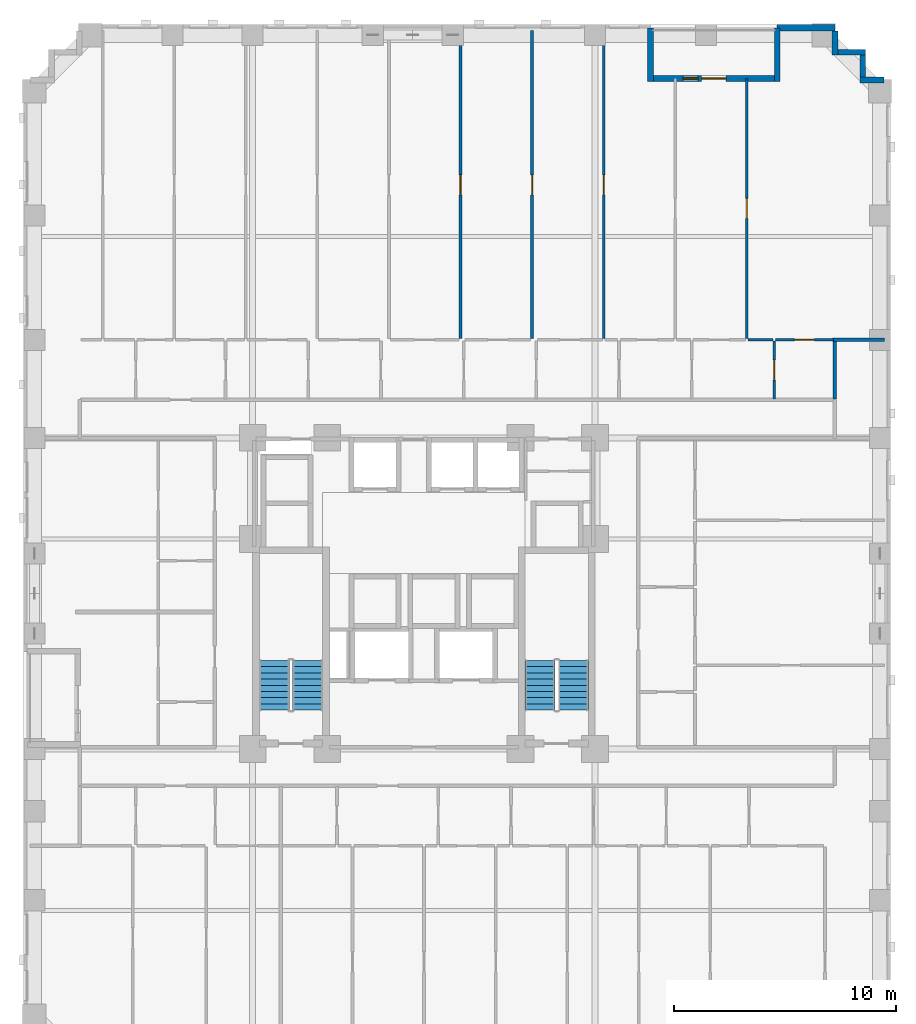
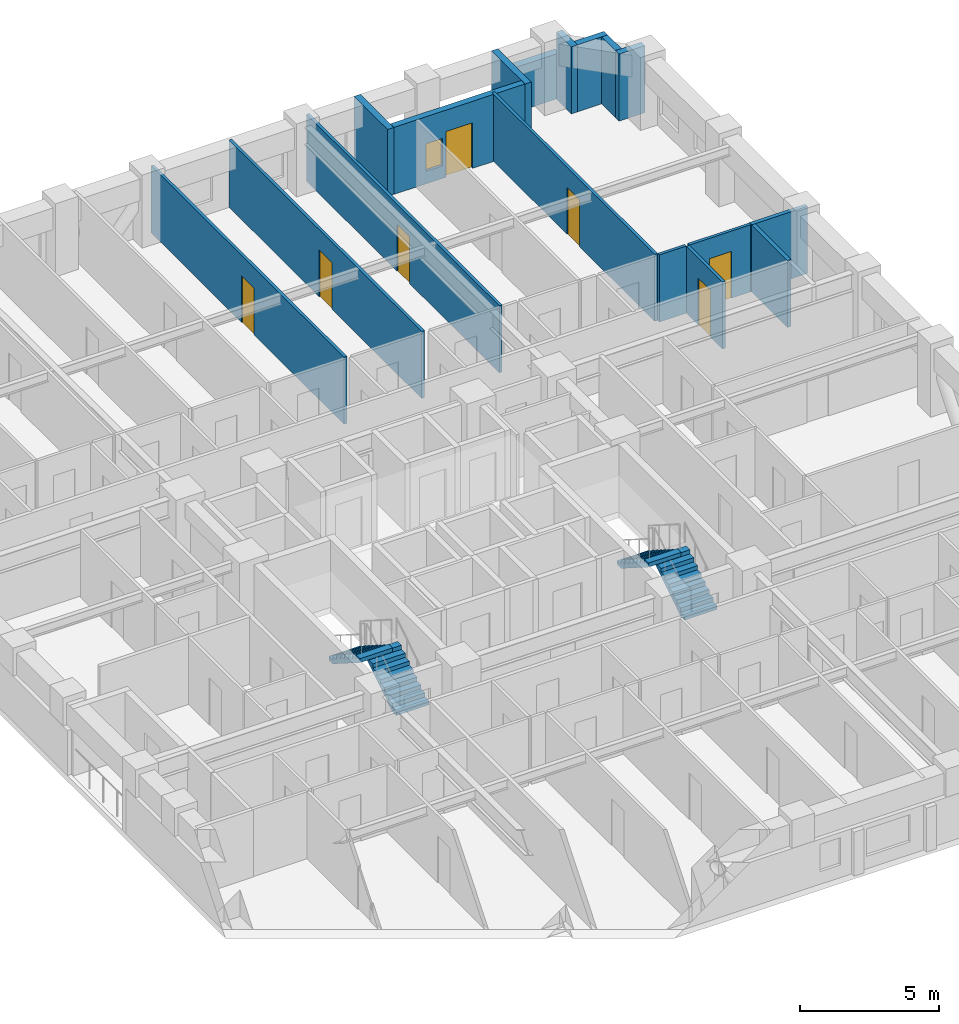
# One storey, part 9 of 14: 17 walls, 7 doors, 4 stair flights, 1 window, 8 openings, 2 elements without a shape of their own.
"""IFC4 building model written with IfcOpenShell, lengths in metres."""

from ifc_helpers import new_model, si_unit, derived_unit, direction, frame, frame_2d, origin, place, context, subcontext, project, spatial, polyline, rectangle, outline, extrude, material, layer, layer_set, type_object, element, fill, aggregate, save


model = new_model("IFC4")

# Units and contexts
model_context = context("Model", 3, precision=1e-05, world=origin(), true_north=direction((0.0, 1.0)))
body_context = subcontext(model_context, "Body", "Model", "MODEL_VIEW")
ifc_project = project(units=[si_unit("LENGTHUNIT", "METRE"), si_unit("AREAUNIT", "SQUARE_METRE"), si_unit("VOLUMEUNIT", "CUBIC_METRE"), si_unit("PLANEANGLEUNIT", "RADIAN"), si_unit("MASSUNIT", "GRAM", prefix="KILO"), derived_unit("THERMALTRANSMITTANCEUNIT", [(si_unit("MASSUNIT", "GRAM", prefix="KILO"), 1), (si_unit("TIMEUNIT", "SECOND"), -3), (si_unit("THERMODYNAMICTEMPERATUREUNIT", "KELVIN"), -1)])], contexts=[model_context])

# Site, building, storey
site_placement = place(None, origin())
site = spatial("IfcSite", under=ifc_project, at=site_placement, CompositionType="ELEMENT")
building_placement = place(site_placement, origin())
building = spatial("IfcBuilding", under=site, at=building_placement, Name="Korrvale Station Residences", CompositionType="ELEMENT")
storey_placement = place(building_placement, frame((0.0, 0.0, 38.60009765625)))
storey = spatial("IfcBuildingStorey", under=building, at=storey_placement, Name="L09", CompositionType="ELEMENT", Elevation=38.60009765625)

# Wall
ifc_material_1 = material(Name="Precast concrete C45/55", Category="concrete")
ifc_layer_1 = layer(ifc_material_1, 0.260009765625, Name="Precast concrete C45/55")
ifc_layer_set_1 = layer_set([ifc_layer_1], Name="Precast concrete C45/55")
wall_type_1 = type_object("IfcWallType", Name="WAL-EXT-LOG260", PredefinedType="SOLIDWALL", material=ifc_layer_set_1)
wall_1_placement = place(storey_placement, frame((35.699951171875, 47.43994140625, 0.0), z_axis=(0.0, 0.0, 1.0), x_axis=(0.0, -1.0, 0.0)))
element("IfcWall", 1, at=wall_1_placement, inside=storey, type_object=wall_type_1, Name="L09 Recessed Loggia Wall BAL-L09-N1-L", PredefinedType="SOLIDWALL", context=body_context, shape_type="SweptSolid", body=[
    extrude(rectangle(XDim=2.39990234375, YDim=0.260009765625, at=frame_2d((1.199951171875, 0.0))), origin(), (0.0, 0.0, 1.0), 2.93994140625),
])

# Wall, openings, door, window
wall_2_placement = place(storey_placement, frame((35.833984375, 45.169921875, 0.0), z_axis=(0.0, 0.0, 1.0), x_axis=(1.0, 0.0, 0.0)))
wall_2 = element("IfcWall", 2, at=wall_2_placement, inside=storey, type_object=wall_type_1, Name="L09 Recessed Loggia Wall BAL-L09-N1-B", PredefinedType="SOLIDWALL", context=body_context, shape_type="SweptSolid", body=[
    extrude(rectangle(XDim=5.43212890625, YDim=0.260009765625, at=frame_2d((2.716064453125, 0.0))), origin(), (0.0, 0.0, 1.0), 2.93994140625),
])
opening_1_placement = place(wall_2_placement, frame((2.166015625, 0.0, 0.0)))
opening_1 = element("IfcOpeningElement", 3, at=opening_1_placement, cuts=wall_2, Name="Opening BD-01", PredefinedType="OPENING", context=body_context, shape_type="SweptSolid", body=[
    extrude(rectangle(XDim=1.10009765625, YDim=2.0, at=frame_2d((0.550048828125, 1.0))), frame((0.0, 0.14013671875, 0.0), z_axis=(0.0, -1.0, 0.0), x_axis=(1.0, 0.0, 0.0)), (0.0, 0.0, 1.0), 0.280029296875),
])
opening_2_placement = place(wall_2_placement, frame((1.325927734375, 0.0, 0.550048828125)))
opening_2 = element("IfcOpeningElement", 4, at=opening_2_placement, cuts=wall_2, Name="Opening W-12", PredefinedType="OPENING", context=body_context, shape_type="SweptSolid", body=[
    extrude(rectangle(XDim=0.679931640625, YDim=1.199951171875, at=frame_2d((0.33984375, 0.60009765625))), frame((0.0, 0.14013671875, 0.0), z_axis=(0.0, -1.0, 0.0), x_axis=(1.0, 0.0, 0.0)), (0.0, 0.0, 1.0), 0.280029296875),
])
ifc_material_2 = material(Name="Exterior thermally broken aluminium glazed balcony door", Category="aluminium")
door_type_1 = type_object("IfcDoorType", Name="DR-EXT-BAL", OperationType="NOTDEFINED", PredefinedType="DOOR", material=ifc_material_2)
door_1_placement = place(opening_1_placement, origin())
door_1 = element("IfcDoor", 5, at=door_1_placement, inside=storey, type_object=door_type_1, Name="L09 Loggia Balcony Door BAL-L09-N1", OperationType="SINGLE_SWING_LEFT", OverallHeight=2.0, OverallWidth=1.10009765625, PredefinedType="DOOR", context=body_context, shape_type="SweptSolid", body=[
    extrude(rectangle(XDim=1.10009765625, YDim=2.0, at=frame_2d((0.550048828125, 1.0))), frame((0.0, 0.02490234375, 0.0), z_axis=(0.0, -1.0, 0.0), x_axis=(1.0, 0.0, 0.0)), (0.0, 0.0, 1.0), 0.050048828125),
])
fill(opening_1, door_1)
ifc_material_3 = material(Name="Thermally broken aluminium frame with triple low-e glazing", Category="aluminium")
window_type = type_object("IfcWindowType", Name="WIN-W12", PartitioningType="SINGLE_PANEL", PredefinedType="WINDOW", material=ifc_material_3)
window_placement = place(opening_2_placement, origin())
window = element("IfcWindow", 6, at=window_placement, inside=storey, type_object=window_type, Name="L09 Punched Window 22", OverallHeight=1.199951171875, OverallWidth=0.679931640625, PartitioningType="SINGLE_PANEL", PredefinedType="WINDOW", context=body_context, shape_type="SweptSolid", body=[
    extrude(rectangle(XDim=0.679931640625, YDim=1.199951171875, at=frame_2d((0.33984375, 0.60009765625))), frame((0.0, 0.030029296875, 0.0), z_axis=(0.0, -1.0, 0.0), x_axis=(1.0, 0.0, 0.0)), (0.0, 0.0, 1.0), 0.06005859375),
])
fill(opening_2, window)

# Walls
wall_3_placement = place(storey_placement, frame((41.39990234375, 45.0400390625, 0.0), z_axis=(0.0, 0.0, 1.0), x_axis=(0.0, 1.0, 0.0)))
element("IfcWall", 7, at=wall_3_placement, inside=storey, type_object=wall_type_1, Name="L09 Recessed Loggia Wall BAL-L09-N1-R", PredefinedType="SOLIDWALL", context=body_context, shape_type="SweptSolid", body=[
    extrude(rectangle(XDim=2.39990234375, YDim=0.260009765625, at=frame_2d((1.199951171875, 0.0))), origin(), (0.0, 0.0, 1.0), 2.93994140625),
])
wall_4_placement = place(storey_placement, frame((44.0, 47.298095703125, 0.0), z_axis=(0.0, 0.0, 1.0), x_axis=(0.0, -1.0, 0.0)))
element("IfcWall", 8, at=wall_4_placement, inside=storey, type_object=wall_type_1, Name="L09 Serrated Corner Precast Step NE-1", PredefinedType="SOLIDWALL", context=body_context, shape_type="SweptSolid", body=[
    extrude(rectangle(XDim=1.078125, YDim=0.260009765625, at=frame_2d((0.5390625, 0.0))), origin(), (0.0, 0.0, 1.0), 2.93994140625),
])
wall_5_placement = place(storey_placement, frame((44.132080078125, 46.35009765625, 0.0), z_axis=(0.0, 0.0, 1.0), x_axis=(1.0, 0.0, 0.0)))
element("IfcWall", 9, at=wall_5_placement, inside=storey, type_object=wall_type_1, Name="L09 Serrated Corner Precast Step NE-2", PredefinedType="SOLIDWALL", context=body_context, shape_type="SweptSolid", body=[
    extrude(rectangle(XDim=1.247802734375, YDim=0.260009765625, at=frame_2d((0.6240234375, 0.0))), origin(), (0.0, 0.0, 1.0), 2.93994140625),
])
wall_6_placement = place(storey_placement, frame((45.25, 46.218017578125, 0.0), z_axis=(0.0, 0.0, 1.0), x_axis=(0.0, -1.0, 0.0)))
element("IfcWall", 10, at=wall_6_placement, inside=storey, type_object=wall_type_1, Name="L09 Serrated Corner Precast Step NE-3", PredefinedType="SOLIDWALL", context=body_context, shape_type="SweptSolid", body=[
    extrude(rectangle(XDim=0.986083984375, YDim=0.260009765625, at=frame_2d((0.4931640625, 0.0))), origin(), (0.0, 0.0, 1.0), 2.93994140625),
])
wall_7_placement = place(storey_placement, frame((45.1201171875, 45.10009765625, 0.0), z_axis=(0.0, 0.0, 1.0), x_axis=(1.0, 0.0, 0.0)))
element("IfcWall", 11, at=wall_7_placement, inside=storey, type_object=wall_type_1, Name="L09 Serrated Corner Precast Step NE-4", PredefinedType="SOLIDWALL", context=body_context, shape_type="SweptSolid", body=[
    extrude(rectangle(XDim=1.077880859375, YDim=0.260009765625, at=frame_2d((0.5390625, 0.0))), origin(), (0.0, 0.0, 1.0), 2.93994140625),
])
ifc_layer_2 = layer(ifc_material_1, 0.300048828125, Name="Precast concrete C45/55")
ifc_layer_set_2 = layer_set([ifc_layer_2], Name="Precast concrete C45/55")
wall_type_2 = type_object("IfcWallType", Name="WAL-EXT-PC300", PredefinedType="SOLIDWALL", material=ifc_layer_set_2)
wall_8_placement = place(storey_placement, frame((41.39990234375, 47.449951171875, 0.0), z_axis=(0.0, 0.0, 1.0), x_axis=(1.0, 0.0, 0.0)))
element("IfcWall", 12, at=wall_8_placement, inside=storey, type_object=wall_type_2, Name="L09 North Exterior Precast Wall 2", PredefinedType="SOLIDWALL", context=body_context, shape_type="SweptSolid", body=[
    extrude(rectangle(XDim=2.60009765625, YDim=0.300048828125, at=frame_2d((1.300048828125, 0.0))), origin(), (0.0, 0.0, 1.0), 1.974853515625),
])

# Wall, opening, door
ifc_material_4 = material(Name="Acoustic steel-stud gypsum board partition", Category="steel")
ifc_layer_3 = layer(ifc_material_4, 0.1201171875, Name="Acoustic steel-stud gypsum board partition")
ifc_layer_set_3 = layer_set([ifc_layer_3], Name="Acoustic steel-stud gypsum board partition")
wall_type_3 = type_object("IfcWallType", Name="WAL-PART-125", PredefinedType="PARTITIONING", material=ifc_layer_set_3)
wall_9_placement = place(storey_placement, frame((41.27001953125, 30.760009765625, 0.0), z_axis=(0.0, 0.0, 1.0), x_axis=(0.0, 1.0, 0.0)))
wall_9 = element("IfcWall", 13, at=wall_9_placement, inside=storey, type_object=wall_type_3, Name="L09 Suite Partition U03-V89", PredefinedType="PARTITIONING", context=body_context, shape_type="SweptSolid", body=[
    extrude(rectangle(XDim=2.60009765625, YDim=0.1201171875, at=frame_2d((1.300048828125, 0.0))), origin(), (0.0, 0.0, 1.0), 2.93994140625),
])
opening_3_placement = place(wall_9_placement, frame((0.85009765625, 0.0, 0.0)))
opening_3 = element("IfcOpeningElement", 14, at=opening_3_placement, cuts=wall_9, Name="Opening DI-900", PredefinedType="OPENING", context=body_context, shape_type="SweptSolid", body=[
    extrude(rectangle(XDim=0.89990234375, YDim=2.050048828125, at=frame_2d((0.449951171875, 1.02490234375))), frame((0.0, 0.070068359375, 0.0), z_axis=(0.0, -1.0, 0.0), x_axis=(1.0, 0.0, 0.0)), (0.0, 0.0, 1.0), 0.14013671875),
])
ifc_material_5 = material(Name="Painted solid-core timber interior room door", Category="wood")
door_type_2 = type_object("IfcDoorType", Name="DR-INT-900", OperationType="NOTDEFINED", PredefinedType="DOOR", material=ifc_material_5)
door_2_placement = place(opening_3_placement, origin())
door_2 = element("IfcDoor", 15, at=door_2_placement, inside=storey, type_object=door_type_2, Name="L09 Studio Apartment L09-U03 Storage Closet 7 Door", OperationType="SINGLE_SWING_LEFT", OverallHeight=2.050048828125, OverallWidth=0.89990234375, PredefinedType="DOOR", context=body_context, shape_type="SweptSolid", body=[
    extrude(rectangle(XDim=0.89990234375, YDim=2.050048828125, at=frame_2d((0.449951171875, 1.02490234375))), frame((0.0, 0.02490234375, 0.0), z_axis=(0.0, -1.0, 0.0), x_axis=(1.0, 0.0, 0.0)), (0.0, 0.0, 1.0), 0.050048828125),
])
fill(opening_3, door_2)

# Wall
wall_10_placement = place(storey_placement, frame((40.090087890625, 33.419921875, 0.0), z_axis=(0.0, 0.0, 1.0), x_axis=(1.0, 0.0, 0.0)))
element("IfcWall", 16, at=wall_10_placement, inside=storey, type_object=wall_type_3, Name="L09 Suite Partition U03-H820", PredefinedType="PARTITIONING", context=body_context, shape_type="SweptSolid", body=[
    extrude(rectangle(XDim=1.119873046875, YDim=0.1201171875, at=frame_2d((0.56005859375, 0.0))), origin(), (0.0, 0.0, 1.0), 2.93994140625),
])

# Wall, opening, door
wall_11_placement = place(storey_placement, frame((41.330078125, 33.419921875, 0.0), z_axis=(0.0, 0.0, 1.0), x_axis=(1.0, 0.0, 0.0)))
wall_11 = element("IfcWall", 17, at=wall_11_placement, inside=storey, type_object=wall_type_3, Name="L09 Suite Partition U03-H920", PredefinedType="PARTITIONING", context=body_context, shape_type="SweptSolid", body=[
    extrude(rectangle(XDim=2.58984375, YDim=0.1201171875, at=frame_2d((1.294921875, 0.0))), origin(), (0.0, 0.0, 1.0), 2.93994140625),
])
opening_4_placement = place(wall_11_placement, frame((0.844970703125, 0.0, 0.0)))
opening_4 = element("IfcOpeningElement", 18, at=opening_4_placement, cuts=wall_11, Name="Opening DI-900", PredefinedType="OPENING", context=body_context, shape_type="SweptSolid", body=[
    extrude(rectangle(XDim=0.89990234375, YDim=2.050048828125, at=frame_2d((0.449951171875, 1.02490234375))), frame((0.0, 0.070068359375, 0.0), z_axis=(0.0, -1.0, 0.0), x_axis=(1.0, 0.0, 0.0)), (0.0, 0.0, 1.0), 0.14013671875),
])
door_3_placement = place(opening_4_placement, origin())
door_3 = element("IfcDoor", 19, at=door_3_placement, inside=storey, type_object=door_type_2, Name="L09 Studio Apartment L09-U03 Storage Closet 8 Door", OperationType="SINGLE_SWING_LEFT", OverallHeight=2.050048828125, OverallWidth=0.89990234375, PredefinedType="DOOR", context=body_context, shape_type="SweptSolid", body=[
    extrude(rectangle(XDim=0.89990234375, YDim=2.050048828125, at=frame_2d((0.449951171875, 1.02490234375))), frame((0.0, 0.02490234375, 0.0), z_axis=(0.0, -1.0, 0.0), x_axis=(1.0, 0.0, 0.0)), (0.0, 0.0, 1.0), 0.050048828125),
])
fill(opening_4, door_3)

wall_12_placement = place(storey_placement, frame((27.14990234375, 33.47998046875, 0.0), z_axis=(0.0, 0.0, 1.0), x_axis=(0.0, 1.0, 0.0)))
wall_12 = element("IfcWall", 20, at=wall_12_placement, inside=storey, type_object=wall_type_3, Name="L09 Suite Partition U03-V1516", PredefinedType="PARTITIONING", context=body_context, shape_type="SweptSolid", body=[
    extrude(rectangle(XDim=13.840087890625, YDim=0.1201171875, at=frame_2d((6.919921875, 0.0))), origin(), (0.0, 0.0, 1.0), 2.93994140625),
])
opening_5_placement = place(wall_12_placement, frame((6.455078125, 0.0, 0.0)))
opening_5 = element("IfcOpeningElement", 21, at=opening_5_placement, cuts=wall_12, Name="Opening DI-900", PredefinedType="OPENING", context=body_context, shape_type="SweptSolid", body=[
    extrude(rectangle(XDim=0.89990234375, YDim=2.050048828125, at=frame_2d((0.449951171875, 1.02490234375))), frame((0.0, 0.070068359375, 0.0), z_axis=(0.0, -1.0, 0.0), x_axis=(1.0, 0.0, 0.0)), (0.0, 0.0, 1.0), 0.14013671875),
])
door_4_placement = place(opening_5_placement, origin())
door_4 = element("IfcDoor", 22, at=door_4_placement, inside=storey, type_object=door_type_2, Name="L09 Studio Apartment L09-U03 Walk-In Wardrobe Door", OperationType="SINGLE_SWING_LEFT", OverallHeight=2.050048828125, OverallWidth=0.89990234375, PredefinedType="DOOR", context=body_context, shape_type="SweptSolid", body=[
    extrude(rectangle(XDim=0.89990234375, YDim=2.050048828125, at=frame_2d((0.449951171875, 1.02490234375))), frame((0.0, 0.02490234375, 0.0), z_axis=(0.0, -1.0, 0.0), x_axis=(1.0, 0.0, 0.0)), (0.0, 0.0, 1.0), 0.050048828125),
])
fill(opening_5, door_4)

wall_13_placement = place(storey_placement, frame((30.3701171875, 33.47998046875, 0.0), z_axis=(0.0, 0.0, 1.0), x_axis=(0.0, 1.0, 0.0)))
wall_13 = element("IfcWall", 23, at=wall_13_placement, inside=storey, type_object=wall_type_3, Name="L09 Suite Partition U03-V1617", PredefinedType="PARTITIONING", context=body_context, shape_type="SweptSolid", body=[
    extrude(rectangle(XDim=13.840087890625, YDim=0.1201171875, at=frame_2d((6.919921875, 0.0))), origin(), (0.0, 0.0, 1.0), 2.93994140625),
])
opening_6_placement = place(wall_13_placement, frame((6.455078125, 0.0, 0.0)))
opening_6 = element("IfcOpeningElement", 24, at=opening_6_placement, cuts=wall_13, Name="Opening DI-900", PredefinedType="OPENING", context=body_context, shape_type="SweptSolid", body=[
    extrude(rectangle(XDim=0.89990234375, YDim=2.050048828125, at=frame_2d((0.449951171875, 1.02490234375))), frame((0.0, 0.070068359375, 0.0), z_axis=(0.0, -1.0, 0.0), x_axis=(1.0, 0.0, 0.0)), (0.0, 0.0, 1.0), 0.14013671875),
])
door_5_placement = place(opening_6_placement, origin())
door_5 = element("IfcDoor", 25, at=door_5_placement, inside=storey, type_object=door_type_2, Name="L09 Studio Apartment L09-U03 Walk-In Wardrobe Door", OperationType="SINGLE_SWING_RIGHT", OverallHeight=2.050048828125, OverallWidth=0.89990234375, PredefinedType="DOOR", context=body_context, shape_type="SweptSolid", body=[
    extrude(rectangle(XDim=0.89990234375, YDim=2.050048828125, at=frame_2d((0.449951171875, 1.02490234375))), frame((0.0, 0.02490234375, 0.0), z_axis=(0.0, -1.0, 0.0), x_axis=(1.0, 0.0, 0.0)), (0.0, 0.0, 1.0), 0.050048828125),
])
fill(opening_6, door_5)

wall_14_placement = place(storey_placement, frame((33.590087890625, 33.47998046875, 0.0), z_axis=(0.0, 0.0, 1.0), x_axis=(0.0, 1.0, 0.0)))
wall_14 = element("IfcWall", 26, at=wall_14_placement, inside=storey, type_object=wall_type_3, Name="L09 Suite Partition U03-V1718", PredefinedType="PARTITIONING", context=body_context, shape_type="SweptSolid", body=[
    extrude(rectangle(XDim=13.840087890625, YDim=0.1201171875, at=frame_2d((6.919921875, 0.0))), origin(), (0.0, 0.0, 1.0), 2.93994140625),
])
opening_7_placement = place(wall_14_placement, frame((6.455078125, 0.0, 0.0)))
opening_7 = element("IfcOpeningElement", 27, at=opening_7_placement, cuts=wall_14, Name="Opening DI-900", PredefinedType="OPENING", context=body_context, shape_type="SweptSolid", body=[
    extrude(rectangle(XDim=0.89990234375, YDim=2.050048828125, at=frame_2d((0.449951171875, 1.02490234375))), frame((0.0, 0.070068359375, 0.0), z_axis=(0.0, -1.0, 0.0), x_axis=(1.0, 0.0, 0.0)), (0.0, 0.0, 1.0), 0.14013671875),
])
door_6_placement = place(opening_7_placement, origin())
door_6 = element("IfcDoor", 28, at=door_6_placement, inside=storey, type_object=door_type_2, Name="L09 Studio Apartment L09-U03 Walk-In Wardrobe Door", OperationType="SINGLE_SWING_LEFT", OverallHeight=2.050048828125, OverallWidth=0.89990234375, PredefinedType="DOOR", context=body_context, shape_type="SweptSolid", body=[
    extrude(rectangle(XDim=0.89990234375, YDim=2.050048828125, at=frame_2d((0.449951171875, 1.02490234375))), frame((0.0, 0.02490234375, 0.0), z_axis=(0.0, -1.0, 0.0), x_axis=(1.0, 0.0, 0.0)), (0.0, 0.0, 1.0), 0.050048828125),
])
fill(opening_7, door_6)

wall_15_placement = place(storey_placement, frame((40.030029296875, 33.47998046875, 0.0), z_axis=(0.0, 0.0, 1.0), x_axis=(0.0, 1.0, 0.0)))
wall_15 = element("IfcWall", 29, at=wall_15_placement, inside=storey, type_object=wall_type_3, Name="L09 Suite Partition U03-V1920", PredefinedType="PARTITIONING", context=body_context, shape_type="SweptSolid", body=[
    extrude(rectangle(XDim=11.68994140625, YDim=0.1201171875, at=frame_2d((5.844970703125, 0.0))), origin(), (0.0, 0.0, 1.0), 2.93994140625),
])
opening_8_placement = place(wall_15_placement, frame((5.39501953125, 0.0, 0.0)))
opening_8 = element("IfcOpeningElement", 30, at=opening_8_placement, cuts=wall_15, Name="Opening DI-900", PredefinedType="OPENING", context=body_context, shape_type="SweptSolid", body=[
    extrude(rectangle(XDim=0.89990234375, YDim=2.050048828125, at=frame_2d((0.449951171875, 1.02490234375))), frame((0.0, 0.070068359375, 0.0), z_axis=(0.0, -1.0, 0.0), x_axis=(1.0, 0.0, 0.0)), (0.0, 0.0, 1.0), 0.14013671875),
])
door_7_placement = place(opening_8_placement, origin())
door_7 = element("IfcDoor", 31, at=door_7_placement, inside=storey, type_object=door_type_2, Name="L09 Studio Apartment L09-U03 Walk-In Wardrobe Door", OperationType="SINGLE_SWING_LEFT", OverallHeight=2.050048828125, OverallWidth=0.89990234375, PredefinedType="DOOR", context=body_context, shape_type="SweptSolid", body=[
    extrude(rectangle(XDim=0.89990234375, YDim=2.050048828125, at=frame_2d((0.449951171875, 1.02490234375))), frame((0.0, 0.02490234375, 0.0), z_axis=(0.0, -1.0, 0.0), x_axis=(1.0, 0.0, 0.0)), (0.0, 0.0, 1.0), 0.050048828125),
])
fill(opening_8, door_7)

# Walls
ifc_material_6 = material(Name="Fire-rated twin-stud gypsum and mineral wool shaftwall assembly", Category="gypsum")
ifc_layer_4 = layer(ifc_material_6, 0.159912109375, Name="Fire-rated twin-stud gypsum and mineral wool shaftwall assembly")
ifc_layer_set_4 = layer_set([ifc_layer_4], Name="Fire-rated twin-stud gypsum and mineral wool shaftwall assembly")
wall_type_4 = type_object("IfcWallType", Name="WAL-PART-200", PredefinedType="PARTITIONING", material=ifc_layer_set_4)
wall_16_placement = place(storey_placement, frame((43.8798828125, 33.419921875, 0.0), z_axis=(0.0, 0.0, 1.0), x_axis=(1.0, 0.0, 0.0)))
element("IfcWall", 32, at=wall_16_placement, inside=storey, type_object=wall_type_4, Name="L09 Corner Step Wall U03-R", PredefinedType="PARTITIONING", context=body_context, shape_type="SweptSolid", body=[
    extrude(rectangle(XDim=2.340087890625, YDim=0.159912109375, at=frame_2d((1.169921875, 0.0))), origin(), (0.0, 0.0, 1.0), 2.93994140625),
])
wall_17_placement = place(storey_placement, frame((43.97998046875, 30.760009765625, 0.0), z_axis=(0.0, 0.0, 1.0), x_axis=(0.0, 1.0, 0.0)))
element("IfcWall", 33, at=wall_17_placement, inside=storey, type_object=wall_type_4, Name="L09 Corner Step Cheek U03-R", PredefinedType="PARTITIONING", context=body_context, shape_type="SweptSolid", body=[
    extrude(rectangle(XDim=2.659912109375, YDim=0.159912109375, at=frame_2d((1.330078125, 0.0))), origin(), (0.0, 0.0, 1.0), 2.93994140625),
])

# Stair, stair flights
ifc_material_7 = material(Name="Concrete C50/60", Category="concrete")
stair_type = type_object("IfcStairType", Name="STR-DL-1350-18R-1778", PredefinedType="HALF_TURN_STAIR", material=ifc_material_7)
stair_1_placement = place(storey_placement, origin())
stair_1 = element("IfcStair", 34, at=stair_1_placement, inside=storey, type_object=stair_type, Name="L09 Exit Stair 1", PredefinedType="HALF_TURN_STAIR")
stair_flight_type = type_object("IfcStairFlightType", Name="FLT-DL-1350-18R-1778", PredefinedType="STRAIGHT", material=ifc_material_7)
stair_flight_1_placement = place(storey_placement, frame((20.27490234375, 16.75, 0.0), z_axis=(0.0, 0.0, 1.0), x_axis=(0.0, 1.0, 0.0)))
stair_flight_1 = element("IfcStairFlight", 35, at=stair_flight_1_placement, type_object=stair_flight_type, Name="ST-1 flight 1", NumberOfRisers=9, NumberOfTreads=8, PredefinedType="STRAIGHT", RiserHeight=0.177777778, TreadLength=0.28, context=body_context, shape_type="SweptSolid", body=[
    extrude(outline(polyline([(0.0, 0.0), (0.0, 0.177734375), (0.280029296875, 0.177734375), (0.280029296875, 0.35546875), (0.56005859375, 0.35546875), (0.56005859375, 0.533447265625), (0.840087890625, 0.533447265625), (0.840087890625, 0.711181640625), (1.1201171875, 0.711181640625), (1.1201171875, 0.888916015625), (1.39990234375, 0.888916015625), (1.39990234375, 1.066650390625), (1.679931640625, 1.066650390625), (1.679931640625, 1.244384765625), (1.9599609375, 1.244384765625), (1.9599609375, 1.422119140625), (2.239990234375, 1.422119140625), (2.239990234375, 1.60009765625), (2.239990234375, 1.24462890625), (0.27978515625, 0.0), (0.0, 0.0)])), frame((0.0, 0.675048828125, 0.0), z_axis=(0.0, -1.0, 0.0), x_axis=(1.0, 0.0, 0.0)), (0.0, 0.0, 1.0), 1.35009765625),
])
stair_flight_2_placement = place(storey_placement, frame((18.77490234375, 18.989990234375, 1.599853515625), z_axis=(0.0, 0.0, 1.0), x_axis=(0.0, -1.0, 0.0)))
stair_flight_2 = element("IfcStairFlight", 36, at=stair_flight_2_placement, type_object=stair_flight_type, Name="ST-1 flight 2", NumberOfRisers=9, NumberOfTreads=8, PredefinedType="STRAIGHT", RiserHeight=0.177777778, TreadLength=0.28, context=body_context, shape_type="SweptSolid", body=[
    extrude(outline(polyline([(0.0, 0.0), (0.0, 0.177734375), (0.280029296875, 0.177734375), (0.280029296875, 0.35546875), (0.56005859375, 0.35546875), (0.56005859375, 0.533447265625), (0.840087890625, 0.533447265625), (0.840087890625, 0.711181640625), (1.1201171875, 0.711181640625), (1.1201171875, 0.888916015625), (1.39990234375, 0.888916015625), (1.39990234375, 1.066650390625), (1.679931640625, 1.066650390625), (1.679931640625, 1.244384765625), (1.9599609375, 1.244384765625), (1.9599609375, 1.422119140625), (2.239990234375, 1.422119140625), (2.239990234375, 1.60009765625), (2.239990234375, 1.24462890625), (0.27978515625, 0.0), (0.0, 0.0)])), frame((0.0, 0.675048828125, 0.0), z_axis=(0.0, -1.0, 0.0), x_axis=(1.0, 0.0, 0.0)), (0.0, 0.0, 1.0), 1.35009765625),
])
aggregate(stair_1, [stair_flight_1, stair_flight_2])

stair_2_placement = place(storey_placement, origin())
stair_2 = element("IfcStair", 37, at=stair_2_placement, inside=storey, type_object=stair_type, Name="L09 Exit Stair 2", PredefinedType="HALF_TURN_STAIR")
stair_flight_3_placement = place(storey_placement, frame((32.22509765625, 16.75, 0.0), z_axis=(0.0, 0.0, 1.0), x_axis=(0.0, 1.0, 0.0)))
stair_flight_3 = element("IfcStairFlight", 38, at=stair_flight_3_placement, type_object=stair_flight_type, Name="ST-2 flight 1", NumberOfRisers=9, NumberOfTreads=8, PredefinedType="STRAIGHT", RiserHeight=0.177777778, TreadLength=0.28, context=body_context, shape_type="SweptSolid", body=[
    extrude(outline(polyline([(0.0, 0.0), (0.0, 0.177734375), (0.280029296875, 0.177734375), (0.280029296875, 0.35546875), (0.56005859375, 0.35546875), (0.56005859375, 0.533447265625), (0.840087890625, 0.533447265625), (0.840087890625, 0.711181640625), (1.1201171875, 0.711181640625), (1.1201171875, 0.888916015625), (1.39990234375, 0.888916015625), (1.39990234375, 1.066650390625), (1.679931640625, 1.066650390625), (1.679931640625, 1.244384765625), (1.9599609375, 1.244384765625), (1.9599609375, 1.422119140625), (2.239990234375, 1.422119140625), (2.239990234375, 1.60009765625), (2.239990234375, 1.24462890625), (0.27978515625, 0.0), (0.0, 0.0)])), frame((0.0, 0.675048828125, 0.0), z_axis=(0.0, -1.0, 0.0), x_axis=(1.0, 0.0, 0.0)), (0.0, 0.0, 1.0), 1.35009765625),
])
stair_flight_4_placement = place(storey_placement, frame((30.72509765625, 18.989990234375, 1.599853515625), z_axis=(0.0, 0.0, 1.0), x_axis=(0.0, -1.0, 0.0)))
stair_flight_4 = element("IfcStairFlight", 39, at=stair_flight_4_placement, type_object=stair_flight_type, Name="ST-2 flight 2", NumberOfRisers=9, NumberOfTreads=8, PredefinedType="STRAIGHT", RiserHeight=0.177777778, TreadLength=0.28, context=body_context, shape_type="SweptSolid", body=[
    extrude(outline(polyline([(0.0, 0.0), (0.0, 0.177734375), (0.280029296875, 0.177734375), (0.280029296875, 0.35546875), (0.56005859375, 0.35546875), (0.56005859375, 0.533447265625), (0.840087890625, 0.533447265625), (0.840087890625, 0.711181640625), (1.1201171875, 0.711181640625), (1.1201171875, 0.888916015625), (1.39990234375, 0.888916015625), (1.39990234375, 1.066650390625), (1.679931640625, 1.066650390625), (1.679931640625, 1.244384765625), (1.9599609375, 1.244384765625), (1.9599609375, 1.422119140625), (2.239990234375, 1.422119140625), (2.239990234375, 1.60009765625), (2.239990234375, 1.24462890625), (0.27978515625, 0.0), (0.0, 0.0)])), frame((0.0, 0.675048828125, 0.0), z_axis=(0.0, -1.0, 0.0), x_axis=(1.0, 0.0, 0.0)), (0.0, 0.0, 1.0), 1.35009765625),
])
aggregate(stair_2, [stair_flight_3, stair_flight_4])

save(model, "model.ifc")
